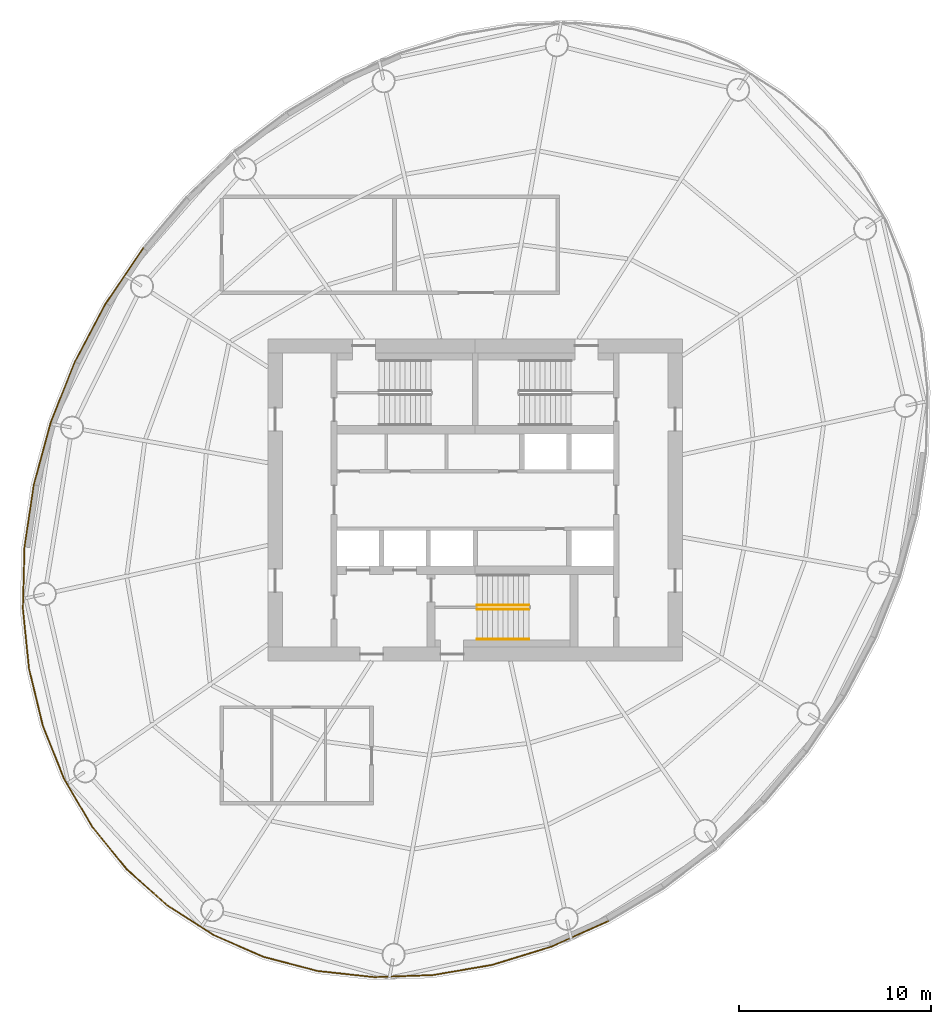
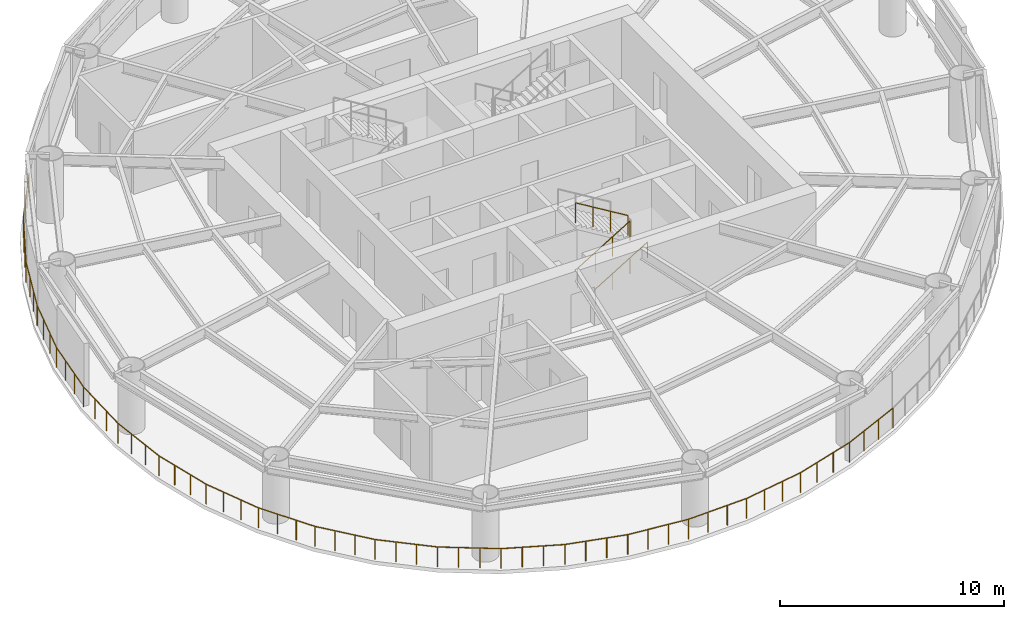
# One storey, part 6 of 8: 8 railings.
"""IFC4 building model written with IfcOpenShell, lengths in metres."""

import ifcopenshell
import ifcopenshell.guid

model = None  # the IFC model being written
_history = None  # IfcOwnerHistory: only IFC2X3 demands one
_inside = {}  # id of a spatial element -> (the spatial element, [elements in it])
_under = {}  # id of a project, library or spatial element -> (it, [spatial elements below it])
_declared = {}  # id of a project -> (the project, [libraries it declares])
_typed = {}  # id of a type object -> (the type object, [elements of that type])
_made_of = {}  # id of a material, layer set ... -> (it, [elements and type objects made of it])


def new_model(schema):
    """Start an empty IFC model of exactly this schema.

    Asked for "IFC4X3", IfcOpenShell would pick the latest addendum, in which some entities
    have other attributes; the version numbers below select the first issue.
    IFC2X3 requires an IfcOwnerHistory on every rooted entity: one is made here for all.
    """
    global model, _history
    if schema == "IFC4X3":
        model = ifcopenshell.file(schema_version=(4, 3, 0, 0))
    else:
        model = ifcopenshell.file(schema=schema)
    _inside.clear()
    _under.clear()
    _declared.clear()
    _typed.clear()
    _made_of.clear()
    _history = None
    if model.schema == "IFC2X3":
        org = make("IfcOrganization", Name="unknown")
        user = make(
            "IfcPersonAndOrganization",
            ThePerson=make("IfcPerson", FamilyName="unknown"),
            TheOrganization=org,
        )
        app = make(
            "IfcApplication",
            ApplicationDeveloper=org,
            Version="unknown",
            ApplicationFullName="unknown",
            ApplicationIdentifier="unknown",
        )
        _history = make(
            "IfcOwnerHistory",
            OwningUser=user,
            OwningApplication=app,
            ChangeAction="ADDED",
            CreationDate=0,
        )
    return model


def make(cls, **values):
    """One entity of the class cls with the attributes given. An attribute that is None is left unset."""
    return model.create_entity(
        cls, **{name: value for name, value in values.items() if value is not None}
    )


def rooted(cls, **values):
    """An entity with a GlobalId (a new one), such as an element, a storey or a relation."""
    return make(cls, GlobalId=ifcopenshell.guid.new(), OwnerHistory=_history, **values)


def si_unit(unit_type, name, prefix=None):
    """IfcSIUnit, for example si_unit("LENGTHUNIT", "METRE", prefix="MILLI")."""
    return make("IfcSIUnit", UnitType=unit_type, Prefix=prefix, Name=name)


def assignment(units):
    """IfcUnitAssignment: the units of a project."""
    return None if units is None else make("IfcUnitAssignment", Units=units)


def point(xyz):
    """IfcCartesianPoint."""
    return None if xyz is None else make("IfcCartesianPoint", Coordinates=xyz)


def direction(xyz):
    """IfcDirection."""
    return None if xyz is None else make("IfcDirection", DirectionRatios=xyz)


def frame(location, z_axis=None, x_axis=None):
    """IfcAxis2Placement3D, a coordinate frame: its origin and axes. An axis left out is left unset."""
    return make(
        "IfcAxis2Placement3D",
        Location=point(location),
        Axis=direction(z_axis),
        RefDirection=direction(x_axis),
    )


def frame_2d(location, x_axis=None):
    """IfcAxis2Placement2D, a coordinate frame in the plane: its origin and x axis."""
    return make(
        "IfcAxis2Placement2D", Location=point(location), RefDirection=direction(x_axis)
    )


def origin():
    """The frame at (0, 0, 0) with its axes left unset."""
    return frame((0.0, 0.0, 0.0))


def origin_2d():
    """The frame at (0, 0) in the plane with its x axis left unset."""
    return frame_2d((0.0, 0.0))


def place(relative_to, where):
    """IfcLocalPlacement: puts the frame where relative to a parent placement (None: the world)."""
    return make(
        "IfcLocalPlacement", PlacementRelTo=relative_to, RelativePlacement=where
    )


def context(
    kind, dimensions, precision=None, world=None, true_north=None, identifier=None
):
    """IfcGeometricRepresentationContext, for example the 3D "Model" context."""
    return make(
        "IfcGeometricRepresentationContext",
        ContextIdentifier=identifier,
        ContextType=kind,
        CoordinateSpaceDimension=dimensions,
        Precision=precision,
        WorldCoordinateSystem=world,
        TrueNorth=true_north,
    )


def subcontext(parent, identifier, kind, view, scale=None):
    """IfcGeometricRepresentationSubContext, for example "Body" below "Model"."""
    return make(
        "IfcGeometricRepresentationSubContext",
        ContextIdentifier=identifier,
        ContextType=kind,
        ParentContext=parent,
        TargetScale=scale,
        TargetView=view,
    )


def project(units=None, contexts=None):
    """IfcProject with its units and contexts."""
    return rooted(
        "IfcProject",
        Name="project",
        RepresentationContexts=contexts,
        UnitsInContext=assignment(units),
    )


def spatial(cls, under=None, at=None, **own):
    """A site, building, storey or space (cls), placed at a placement, below another one or the project."""
    s = rooted(cls, ObjectPlacement=at, **own)
    if under is not None:
        _under.setdefault(under.id(), (under, []))[1].append(s)
    return s


def profile(cls, at=None, kind="AREA", **sizes):
    """A parametric profile (cls). Its sizes go by their IFC names, for example OverallWidth=200.0."""
    return make(cls, ProfileType=kind, Position=at, **sizes)


def circle(**sizes):
    """IfcCircleProfileDef."""
    return profile("IfcCircleProfileDef", **sizes)


def extrude(swept, where, along, depth):
    """IfcExtrudedAreaSolid: the profile swept, set in the frame where, extruded along a direction by depth."""
    return make(
        "IfcExtrudedAreaSolid",
        SweptArea=swept,
        Position=where,
        ExtrudedDirection=direction(along),
        Depth=depth,
    )


def shape(context_of_items, identifier, shape_type, items):
    """IfcShapeRepresentation: the items that make up one representation, for example the "Body"."""
    return make(
        "IfcShapeRepresentation",
        ContextOfItems=context_of_items,
        RepresentationIdentifier=identifier,
        RepresentationType=shape_type,
        Items=items,
    )


def material(Name=None, Category=None):
    """IfcMaterial."""
    return make("IfcMaterial", Name=Name, Category=Category)


def made_of(thing, what):
    """Note that an element or type object is made of a material, layer set ...; save() writes the relation."""
    if what is not None:
        _made_of.setdefault(what.id(), (what, []))[1].append(thing)
    return thing


def type_object(cls, material=None, **own):
    """A type object (cls), such as IfcWallType, which elements share."""
    return made_of(rooted(cls, **own), material)


def element(
    cls,
    number,
    at=None,
    inside=None,
    cuts=None,
    type_object=None,
    material=None,
    context=None,
    identifier="Body",
    shape_type=None,
    held_by="IfcProductDefinitionShape",
    body=None,
    shapes=None,
    **own,
):
    """One element of the class cls, such as IfcWall. Its Tag is "e" and its number.

    at: its placement. inside: the storey or other place that contains it. cuts: it is an
    opening in that element (IfcRelVoidsElement). A single representation is given by context,
    identifier, shape_type and body (its items); several are given by shapes. held_by: the class
    of the entity that holds the representations. save() writes the other relations.
    """
    e = rooted(cls, Tag="e%d" % number, ObjectPlacement=at, **own)
    if body is not None:
        shapes = [shape(context, identifier, shape_type, body)]
    if shapes is not None:
        e.Representation = make(held_by, Representations=shapes)
    if inside is not None:
        _inside.setdefault(inside.id(), (inside, []))[1].append(e)
    if cuts is not None:
        rooted(
            "IfcRelVoidsElement", RelatingBuildingElement=cuts, RelatedOpeningElement=e
        )
    if type_object is not None:
        _typed.setdefault(type_object.id(), (type_object, []))[1].append(e)
    return made_of(e, material)


def aggregate(whole, parts):
    """IfcRelAggregates: a whole, such as a stair, and the parts it consists of."""
    return rooted("IfcRelAggregates", RelatingObject=whole, RelatedObjects=parts)


def save(model, path):
    """Write the relations noted so far, then the file.

    IfcRelAggregates (storeys below a building ...), IfcRelContainedInSpatialStructure (elements
    in a storey), IfcRelDefinesByType, IfcRelAssociatesMaterial and IfcRelDeclares: one each for
    every whole, place, type object, material and project.
    """
    for whole, parts in _under.values():
        aggregate(whole, parts)
    for where, things in _inside.values():
        rooted(
            "IfcRelContainedInSpatialStructure",
            RelatedElements=things,
            RelatingStructure=where,
        )
    for kind, things in _typed.values():
        rooted("IfcRelDefinesByType", RelatedObjects=things, RelatingType=kind)
    for what, things in _made_of.values():
        rooted("IfcRelAssociatesMaterial", RelatedObjects=things, RelatingMaterial=what)
    for by, libraries in _declared.values():
        rooted("IfcRelDeclares", RelatingContext=by, RelatedDefinitions=libraries)
    model.write(path)


model = new_model("IFC4")

# Units and contexts
model_context = context("Model", 3, precision=1e-05, world=origin(), true_north=direction((0.0, 1.0)))
body_context = subcontext(model_context, "Body", "Model", "MODEL_VIEW")
ifc_project = project(units=[si_unit("LENGTHUNIT", "METRE"), si_unit("AREAUNIT", "SQUARE_METRE"), si_unit("VOLUMEUNIT", "CUBIC_METRE"), si_unit("PLANEANGLEUNIT", "RADIAN"), si_unit("MASSUNIT", "GRAM", prefix="KILO")], contexts=[model_context])

# Site, building, storey
site_placement = place(None, origin())
site = spatial("IfcSite", under=ifc_project, at=site_placement, CompositionType="ELEMENT")
building_placement = place(site_placement, origin())
building = spatial("IfcBuilding", under=site, at=building_placement, Name="Vermilion Reach Broadcast Tower", CompositionType="ELEMENT")
storey_placement = place(building_placement, frame((0.0, 0.0, 242.5)))
storey = spatial("IfcBuildingStorey", under=building, at=storey_placement, Name="L60", CompositionType="ELEMENT", Elevation=242.5)

# Railings
ifc_material_1 = material(Name="Steel guardrail with stainless infill", Category="steel")
railing_type_1 = type_object("IfcRailingType", Name="Open floor guardrail 1100", PredefinedType="GUARDRAIL", material=ifc_material_1)
railing_1_placement = place(storey_placement, frame((-23.291015625, 13.12451171875, 0.0)))
element("IfcRailing", 1, at=railing_1_placement, inside=storey, type_object=railing_type_1, Name="sp.rail.L60.03", PredefinedType="GUARDRAIL", context=body_context, shape_type="SweptSolid", body=[
    extrude(circle(Radius=0.02490234375, at=origin_2d()), frame((0.0, 0.0, 1.0751953125), z_axis=(-0.561031680538, -0.827794330394, 0.0), x_axis=(0.827794330394, -0.561031680538, 0.0)), (0.0, 0.0, 1.0), 3.470458984375),
    extrude(circle(Radius=0.02490234375, at=origin_2d()), frame((-1.947021484375, -2.872802734375, 1.0751953125), z_axis=(-0.468589631289, -0.883415959471, 0.0), x_axis=(0.883415959471, -0.468589631289, 0.0)), (0.0, 0.0, 1.0), 3.451171875),
    extrude(circle(Radius=0.02490234375, at=origin_2d()), frame((-3.564208984375, -5.921630859375, 1.0751953125), z_axis=(-0.368996596938, -0.929430745913, 0.0), x_axis=(0.929430745913, -0.368996596938, 0.0)), (0.0, 0.0, 1.0), 3.41259765625),
    extrude(circle(Radius=0.02490234375, at=origin_2d()), frame((-4.823486328125, -9.093505859375, 1.0751953125), z_axis=(-0.26217602401, -0.96502006841, 0.0), x_axis=(0.96502006841, -0.26217602401, 0.0)), (0.0, 0.0, 1.0), 3.35791015625),
    extrude(circle(Radius=0.02490234375, at=origin_2d()), origin(), (0.0, 0.0, 1.0), 1.050048828125),
    extrude(circle(Radius=0.02490234375, at=origin_2d()), frame((-0.64892578125, -0.95751953125, 0.0)), (0.0, 0.0, 1.0), 1.050048828125),
    extrude(circle(Radius=0.02490234375, at=origin_2d()), frame((-1.298095703125, -1.915283203125, 0.0)), (0.0, 0.0, 1.0), 1.050048828125),
    extrude(circle(Radius=0.02490234375, at=origin_2d()), frame((-1.947021484375, -2.872802734375, 0.0)), (0.0, 0.0, 1.0), 1.050048828125),
    extrude(circle(Radius=0.02490234375, at=origin_2d()), frame((-2.486083984375, -3.88916015625, 0.0)), (0.0, 0.0, 1.0), 1.050048828125),
    extrude(circle(Radius=0.02490234375, at=origin_2d()), frame((-3.025146484375, -4.9052734375, 0.0)), (0.0, 0.0, 1.0), 1.050048828125),
    extrude(circle(Radius=0.02490234375, at=origin_2d()), frame((-3.564208984375, -5.921630859375, 0.0)), (0.0, 0.0, 1.0), 1.050048828125),
    extrude(circle(Radius=0.02490234375, at=origin_2d()), frame((-3.98388671875, -6.97900390625, 0.0)), (0.0, 0.0, 1.0), 1.050048828125),
    extrude(circle(Radius=0.02490234375, at=origin_2d()), frame((-4.40380859375, -8.0361328125, 0.0)), (0.0, 0.0, 1.0), 1.050048828125),
    extrude(circle(Radius=0.02490234375, at=origin_2d()), frame((-4.823486328125, -9.093505859375, 0.0)), (0.0, 0.0, 1.0), 1.050048828125),
    extrude(circle(Radius=0.02490234375, at=origin_2d()), frame((-5.116943359375, -10.173583984375, 0.0)), (0.0, 0.0, 1.0), 1.050048828125),
    extrude(circle(Radius=0.02490234375, at=origin_2d()), frame((-5.410400390625, -11.25390625, 0.0)), (0.0, 0.0, 1.0), 1.050048828125),
    extrude(circle(Radius=0.02490234375, at=origin_2d()), frame((-5.703857421875, -12.333984375, 0.0)), (0.0, 0.0, 1.0), 1.050048828125),
])
railing_2_placement = place(storey_placement, frame((-28.994873046875, 0.79052734375, 0.0)))
element("IfcRailing", 2, at=railing_2_placement, inside=storey, type_object=railing_type_1, Name="sp.rail.L60.04", PredefinedType="GUARDRAIL", context=body_context, shape_type="SweptSolid", body=[
    extrude(circle(Radius=0.02490234375, at=origin_2d()), frame((0.0, 0.0, 1.0751953125), z_axis=(-0.147767011732, -0.989022199065, 0.0), x_axis=(0.989022199065, -0.147767011732, 0.0)), (0.0, 0.0, 1.0), 3.28955078125),
    extrude(circle(Radius=0.02490234375, at=origin_2d()), frame((-0.486083984375, -3.25341796875, 1.0751953125), z_axis=(-0.026148762341, -0.999658062653, 0.0), x_axis=(0.999658062653, -0.026148762341, 0.0)), (0.0, 0.0, 1.0), 3.211669921875),
    extrude(circle(Radius=0.02490234375, at=origin_2d()), frame((-0.570068359375, -6.464111328125, 1.0751953125), z_axis=(0.102068466274, -0.994777376197, 0.0), x_axis=(0.994777376197, 0.102068466274, 0.0)), (0.0, 0.0, 1.0), 3.128662109375),
    extrude(circle(Radius=0.02490234375, at=origin_2d()), frame((-0.250732421875, -9.576416015625, 1.0751953125), z_axis=(0.235269751113, -0.971930112823, 0.0), x_axis=(0.971930112823, 0.235269751113, 0.0)), (0.0, 0.0, 1.0), 3.046630859375),
    extrude(circle(Radius=0.02490234375, at=origin_2d()), origin(), (0.0, 0.0, 1.0), 1.050048828125),
    extrude(circle(Radius=0.02490234375, at=origin_2d()), frame((-0.162109375, -1.08447265625, 0.0)), (0.0, 0.0, 1.0), 1.050048828125),
    extrude(circle(Radius=0.02490234375, at=origin_2d()), frame((-0.323974609375, -2.1689453125, 0.0)), (0.0, 0.0, 1.0), 1.050048828125),
    extrude(circle(Radius=0.02490234375, at=origin_2d()), frame((-0.486083984375, -3.25341796875, 0.0)), (0.0, 0.0, 1.0), 1.050048828125),
    extrude(circle(Radius=0.02490234375, at=origin_2d()), frame((-0.51416015625, -4.32373046875, 0.0)), (0.0, 0.0, 1.0), 1.050048828125),
    extrude(circle(Radius=0.02490234375, at=origin_2d()), frame((-0.5419921875, -5.393798828125, 0.0)), (0.0, 0.0, 1.0), 1.050048828125),
    extrude(circle(Radius=0.02490234375, at=origin_2d()), frame((-0.570068359375, -6.464111328125, 0.0)), (0.0, 0.0, 1.0), 1.050048828125),
    extrude(circle(Radius=0.02490234375, at=origin_2d()), frame((-0.463623046875, -7.50146484375, 0.0)), (0.0, 0.0, 1.0), 1.050048828125),
    extrude(circle(Radius=0.02490234375, at=origin_2d()), frame((-0.357177734375, -8.5390625, 0.0)), (0.0, 0.0, 1.0), 1.050048828125),
    extrude(circle(Radius=0.02490234375, at=origin_2d()), frame((-0.250732421875, -9.576416015625, 0.0)), (0.0, 0.0, 1.0), 1.050048828125),
    extrude(circle(Radius=0.02490234375, at=origin_2d()), frame((-0.01171875, -10.5634765625, 0.0)), (0.0, 0.0, 1.0), 1.050048828125),
    extrude(circle(Radius=0.02490234375, at=origin_2d()), frame((0.22705078125, -11.550537109375, 0.0)), (0.0, 0.0, 1.0), 1.050048828125),
    extrude(circle(Radius=0.02490234375, at=origin_2d()), frame((0.466064453125, -12.53759765625, 0.0)), (0.0, 0.0, 1.0), 1.050048828125),
])
railing_3_placement = place(storey_placement, frame((-28.52880859375, -11.7470703125, 0.0)))
element("IfcRailing", 3, at=railing_3_placement, inside=storey, type_object=railing_type_1, Name="sp.rail.L60.05", PredefinedType="GUARDRAIL", context=body_context, shape_type="SweptSolid", body=[
    extrude(circle(Radius=0.02490234375, at=origin_2d()), frame((0.0, 0.0, 1.0751953125), z_axis=(0.370696326285, -0.928754129831, 0.0), x_axis=(0.928754129831, 0.370696326285, 0.0)), (0.0, 0.0, 1.0), 2.970947265625),
    extrude(circle(Radius=0.02490234375, at=origin_2d()), frame((1.101318359375, -2.75927734375, 1.0751953125), z_axis=(0.50449730757, -0.863413265276, 0.0), x_axis=(0.863413265276, 0.50449730757, 0.0)), (0.0, 0.0, 1.0), 2.907958984375),
    extrude(circle(Radius=0.02490234375, at=origin_2d()), frame((2.568359375, -5.27001953125, 1.0751953125), z_axis=(0.631391904302, -0.77546390192, 0.0), x_axis=(0.77546390192, 0.631391904302, 0.0)), (0.0, 0.0, 1.0), 2.862060546875),
    extrude(circle(Radius=0.02490234375, at=origin_2d()), frame((4.37548828125, -7.489501953125, 1.0751953125), z_axis=(0.745850661811, -0.666113196294, 0.0), x_axis=(0.666113196294, 0.745850661811, 0.0)), (0.0, 0.0, 1.0), 2.83837890625),
    extrude(circle(Radius=0.02490234375, at=origin_2d()), origin(), (0.0, 0.0, 1.0), 1.050048828125),
    extrude(circle(Radius=0.02490234375, at=origin_2d()), frame((0.3671875, -0.919677734375, 0.0)), (0.0, 0.0, 1.0), 1.050048828125),
    extrude(circle(Radius=0.02490234375, at=origin_2d()), frame((0.734130859375, -1.839599609375, 0.0)), (0.0, 0.0, 1.0), 1.050048828125),
    extrude(circle(Radius=0.02490234375, at=origin_2d()), frame((1.101318359375, -2.75927734375, 0.0)), (0.0, 0.0, 1.0), 1.050048828125),
    extrude(circle(Radius=0.02490234375, at=origin_2d()), frame((1.59033203125, -3.59619140625, 0.0)), (0.0, 0.0, 1.0), 1.050048828125),
    extrude(circle(Radius=0.02490234375, at=origin_2d()), frame((2.079345703125, -4.43310546875, 0.0)), (0.0, 0.0, 1.0), 1.050048828125),
    extrude(circle(Radius=0.02490234375, at=origin_2d()), frame((2.568359375, -5.27001953125, 0.0)), (0.0, 0.0, 1.0), 1.050048828125),
    extrude(circle(Radius=0.02490234375, at=origin_2d()), frame((3.170654296875, -6.009765625, 0.0)), (0.0, 0.0, 1.0), 1.050048828125),
    extrude(circle(Radius=0.02490234375, at=origin_2d()), frame((3.773193359375, -6.749755859375, 0.0)), (0.0, 0.0, 1.0), 1.050048828125),
    extrude(circle(Radius=0.02490234375, at=origin_2d()), frame((4.37548828125, -7.489501953125, 0.0)), (0.0, 0.0, 1.0), 1.050048828125),
    extrude(circle(Radius=0.02490234375, at=origin_2d()), frame((5.0810546875, -8.11962890625, 0.0)), (0.0, 0.0, 1.0), 1.050048828125),
    extrude(circle(Radius=0.02490234375, at=origin_2d()), frame((5.786865234375, -8.75, 0.0)), (0.0, 0.0, 1.0), 1.050048828125),
    extrude(circle(Radius=0.02490234375, at=origin_2d()), frame((6.492431640625, -9.380126953125, 0.0)), (0.0, 0.0, 1.0), 1.050048828125),
])
railing_4_placement = place(storey_placement, frame((-22.036376953125, -21.127197265625, 0.0)))
element("IfcRailing", 4, at=railing_4_placement, inside=storey, type_object=railing_type_1, Name="sp.rail.L60.06", PredefinedType="GUARDRAIL", context=body_context, shape_type="SweptSolid", body=[
    extrude(circle(Radius=0.02490234375, at=origin_2d()), frame((0.0, 0.0, 1.0751953125), z_axis=(0.842202657489, -0.539161092549, 0.0), x_axis=(0.539161092549, 0.842202657489, 0.0)), (0.0, 0.0, 1.0), 2.838134765625),
    extrude(circle(Radius=0.02490234375, at=origin_2d()), frame((2.390380859375, -1.5302734375, 1.0751953125), z_axis=(0.916638271339, -0.399717749814, 0.0), x_axis=(0.399717749814, 0.916638271339, 0.0)), (0.0, 0.0, 1.0), 2.862060546875),
    extrude(circle(Radius=0.02490234375, at=origin_2d()), frame((5.013916015625, -2.67431640625, 1.0751953125), z_axis=(0.967298199727, -0.253641859333, 0.0), x_axis=(0.253641859333, 0.967298199727, 0.0)), (0.0, 0.0, 1.0), 2.90771484375),
    extrude(circle(Radius=0.02490234375, at=origin_2d()), frame((7.82666015625, -3.411865234375, 1.0751953125), z_axis=(0.994224596415, -0.107319391926, 0.0), x_axis=(0.107319391926, 0.994224596415, 0.0)), (0.0, 0.0, 1.0), 2.970947265625),
    extrude(circle(Radius=0.02490234375, at=origin_2d()), origin(), (0.0, 0.0, 1.0), 1.050048828125),
    extrude(circle(Radius=0.02490234375, at=origin_2d()), frame((0.796875, -0.510009765625, 0.0)), (0.0, 0.0, 1.0), 1.050048828125),
    extrude(circle(Radius=0.02490234375, at=origin_2d()), frame((1.593505859375, -1.020263671875, 0.0)), (0.0, 0.0, 1.0), 1.050048828125),
    extrude(circle(Radius=0.02490234375, at=origin_2d()), frame((2.390380859375, -1.5302734375, 0.0)), (0.0, 0.0, 1.0), 1.050048828125),
    extrude(circle(Radius=0.02490234375, at=origin_2d()), frame((3.264892578125, -1.91162109375, 0.0)), (0.0, 0.0, 1.0), 1.050048828125),
    extrude(circle(Radius=0.02490234375, at=origin_2d()), frame((4.139404296875, -2.29296875, 0.0)), (0.0, 0.0, 1.0), 1.050048828125),
    extrude(circle(Radius=0.02490234375, at=origin_2d()), frame((5.013916015625, -2.67431640625, 0.0)), (0.0, 0.0, 1.0), 1.050048828125),
    extrude(circle(Radius=0.02490234375, at=origin_2d()), frame((5.951416015625, -2.920166015625, 0.0)), (0.0, 0.0, 1.0), 1.050048828125),
    extrude(circle(Radius=0.02490234375, at=origin_2d()), frame((6.88916015625, -3.166015625, 0.0)), (0.0, 0.0, 1.0), 1.050048828125),
    extrude(circle(Radius=0.02490234375, at=origin_2d()), frame((7.82666015625, -3.411865234375, 0.0)), (0.0, 0.0, 1.0), 1.050048828125),
    extrude(circle(Radius=0.02490234375, at=origin_2d()), frame((8.811279296875, -3.51806640625, 0.0)), (0.0, 0.0, 1.0), 1.050048828125),
    extrude(circle(Radius=0.02490234375, at=origin_2d()), frame((9.7958984375, -3.62451171875, 0.0)), (0.0, 0.0, 1.0), 1.050048828125),
    extrude(circle(Radius=0.02490234375, at=origin_2d()), frame((10.780517578125, -3.730712890625, 0.0)), (0.0, 0.0, 1.0), 1.050048828125),
])
railing_5_placement = place(storey_placement, frame((-11.255859375, -24.85791015625, 0.0)))
element("IfcRailing", 5, at=railing_5_placement, inside=storey, type_object=railing_type_1, Name="sp.rail.L60.07", PredefinedType="GUARDRAIL", context=body_context, shape_type="SweptSolid", body=[
    extrude(circle(Radius=0.02490234375, at=origin_2d()), frame((0.0, 0.0, 1.0751953125), z_axis=(0.999395003801, 0.034779683397, 0.0), x_axis=(-0.034779683397, 0.999395003801, 0.0)), (0.0, 0.0, 1.0), 3.046630859375),
    extrude(circle(Radius=0.02490234375, at=origin_2d()), frame((3.044677734375, 0.10595703125, 1.0751953125), z_axis=(0.985574321614, 0.16924318768, 0.0), x_axis=(-0.16924318768, 0.985574321614, 0.0)), (0.0, 0.0, 1.0), 3.12890625),
    extrude(circle(Radius=0.02490234375, at=origin_2d()), frame((6.12841796875, 0.635498046875, 1.0751953125), z_axis=(0.955813519835, 0.293973664297, 0.0), x_axis=(-0.293973664297, 0.955813519835, 0.0)), (0.0, 0.0, 1.0), 3.21142578125),
    extrude(circle(Radius=0.02490234375, at=origin_2d()), frame((9.197998046875, 1.57958984375, 1.0751953125), z_axis=(0.912835723321, 0.408327004042, 0.0), x_axis=(-0.408327004042, 0.912835723321, 0.0)), (0.0, 0.0, 1.0), 3.28955078125),
    extrude(circle(Radius=0.02490234375, at=origin_2d()), origin(), (0.0, 0.0, 1.0), 1.050048828125),
    extrude(circle(Radius=0.02490234375, at=origin_2d()), frame((1.014892578125, 0.035400390625, 0.0)), (0.0, 0.0, 1.0), 1.050048828125),
    extrude(circle(Radius=0.02490234375, at=origin_2d()), frame((2.02978515625, 0.070556640625, 0.0)), (0.0, 0.0, 1.0), 1.050048828125),
    extrude(circle(Radius=0.02490234375, at=origin_2d()), frame((3.044677734375, 0.10595703125, 0.0)), (0.0, 0.0, 1.0), 1.050048828125),
    extrude(circle(Radius=0.02490234375, at=origin_2d()), frame((4.072509765625, 0.282470703125, 0.0)), (0.0, 0.0, 1.0), 1.050048828125),
    extrude(circle(Radius=0.02490234375, at=origin_2d()), frame((5.1005859375, 0.458984375, 0.0)), (0.0, 0.0, 1.0), 1.050048828125),
    extrude(circle(Radius=0.02490234375, at=origin_2d()), frame((6.12841796875, 0.635498046875, 0.0)), (0.0, 0.0, 1.0), 1.050048828125),
    extrude(circle(Radius=0.02490234375, at=origin_2d()), frame((7.151611328125, 0.9501953125, 0.0)), (0.0, 0.0, 1.0), 1.050048828125),
    extrude(circle(Radius=0.02490234375, at=origin_2d()), frame((8.1748046875, 1.264892578125, 0.0)), (0.0, 0.0, 1.0), 1.050048828125),
    extrude(circle(Radius=0.02490234375, at=origin_2d()), frame((9.197998046875, 1.57958984375, 0.0)), (0.0, 0.0, 1.0), 1.050048828125),
    extrude(circle(Radius=0.02490234375, at=origin_2d()), frame((10.198974609375, 2.02734375, 0.0)), (0.0, 0.0, 1.0), 1.050048828125),
    extrude(circle(Radius=0.02490234375, at=origin_2d()), frame((11.199951171875, 2.47509765625, 0.0)), (0.0, 0.0, 1.0), 1.050048828125),
    extrude(circle(Radius=0.02490234375, at=origin_2d()), frame((12.200927734375, 2.9228515625, 0.0)), (0.0, 0.0, 1.0), 1.050048828125),
])
ifc_material_2 = material(Name="Stainless steel", Category="steel")
railing_type_2 = type_object("IfcRailingType", Name="Stair guard 1100", PredefinedType="GUARDRAIL", material=ifc_material_2)
railing_6_placement = place(storey_placement, frame((-5.89990234375, -5.68994140625, 0.16357421875)))
element("IfcRailing", 6, at=railing_6_placement, inside=storey, type_object=railing_type_2, Name="L60 ST3 stair guard 1", PredefinedType="GUARDRAIL", context=body_context, shape_type="SweptSolid", body=[
    extrude(circle(Radius=0.02392578125, at=origin_2d()), frame((0.0, 0.0, 1.076171875), z_axis=(0.855178096276, 0.0, 0.518334277904), x_axis=(0.0, 1.0, 0.0)), (0.0, 0.0, 1.0), 3.1572265625),
    extrude(circle(Radius=0.02099609375, at=origin_2d()), origin(), (0.0, 0.0, 1.0), 1.052001953125),
    extrude(circle(Radius=0.02099609375, at=origin_2d()), frame((0.89990234375, 0.0, 0.54541015625)), (0.0, 0.0, 1.0), 1.052001953125),
    extrude(circle(Radius=0.02099609375, at=origin_2d()), frame((1.800048828125, 0.0, 1.091064453125)), (0.0, 0.0, 1.0), 1.052001953125),
    extrude(circle(Radius=0.02099609375, at=origin_2d()), frame((2.699951171875, 0.0, 1.636474609375)), (0.0, 0.0, 1.0), 1.052001953125),
])
railing_7_placement = place(storey_placement, frame((-3.199951171875, -5.489990234375, 1.963623046875)))
element("IfcRailing", 7, at=railing_7_placement, inside=storey, type_object=railing_type_2, Name="L60 ST3 stair guard 3", PredefinedType="GUARDRAIL", context=body_context, shape_type="SweptSolid", body=[
    extrude(circle(Radius=0.02392578125, at=origin_2d()), frame((0.0, 0.0, 1.076171875), z_axis=(-0.855178096276, 0.0, 0.518334277904), x_axis=(0.0, -1.0, 0.0)), (0.0, 0.0, 1.0), 3.1572265625),
    extrude(circle(Radius=0.02099609375, at=origin_2d()), origin(), (0.0, 0.0, 1.0), 1.052001953125),
    extrude(circle(Radius=0.02099609375, at=origin_2d()), frame((-0.89990234375, 0.0, 0.54541015625)), (0.0, 0.0, 1.0), 1.052001953125),
    extrude(circle(Radius=0.02099609375, at=origin_2d()), frame((-1.800048828125, 0.0, 1.091064453125)), (0.0, 0.0, 1.0), 1.052001953125),
    extrude(circle(Radius=0.02099609375, at=origin_2d()), frame((-2.699951171875, 0.0, 1.636474609375)), (0.0, 0.0, 1.0), 1.052001953125),
])
ifc_material_3 = material(Name="Stainless steel", Category="steel")
railing_type_3 = type_object("IfcRailingType", Name="Stair handrail", PredefinedType="HANDRAIL", material=ifc_material_3)
railing_8_placement = place(storey_placement, frame((-5.89990234375, -7.25, 0.16357421875)))
element("IfcRailing", 8, at=railing_8_placement, inside=storey, type_object=railing_type_3, Name="L60 ST3 stair handrail 1", PredefinedType="HANDRAIL", context=body_context, shape_type="SweptSolid", body=[
    extrude(circle(Radius=0.02392578125, at=origin_2d()), frame((0.0, 0.0, 0.8759765625), z_axis=(0.855178096276, 0.0, 0.518334277904), x_axis=(0.0, 1.0, 0.0)), (0.0, 0.0, 1.0), 3.1572265625),
    extrude(circle(Radius=0.02099609375, at=origin_2d()), origin(), (0.0, 0.0, 1.0), 0.851806640625),
    extrude(circle(Radius=0.02099609375, at=origin_2d()), frame((0.89990234375, 0.0, 0.54541015625)), (0.0, 0.0, 1.0), 0.851806640625),
    extrude(circle(Radius=0.02099609375, at=origin_2d()), frame((1.800048828125, 0.0, 1.091064453125)), (0.0, 0.0, 1.0), 0.851806640625),
    extrude(circle(Radius=0.02099609375, at=origin_2d()), frame((2.699951171875, 0.0, 1.636474609375)), (0.0, 0.0, 1.0), 0.851806640625),
])

save(model, "model.ifc")
